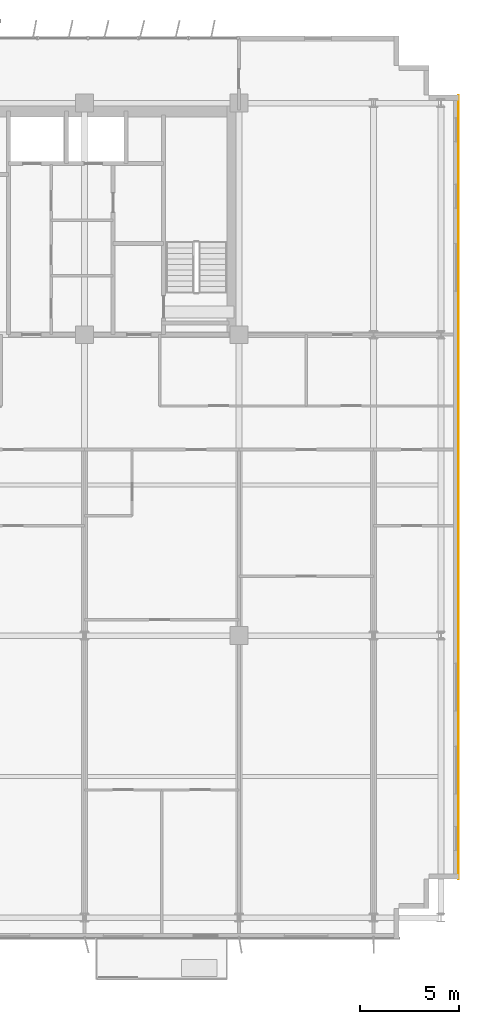
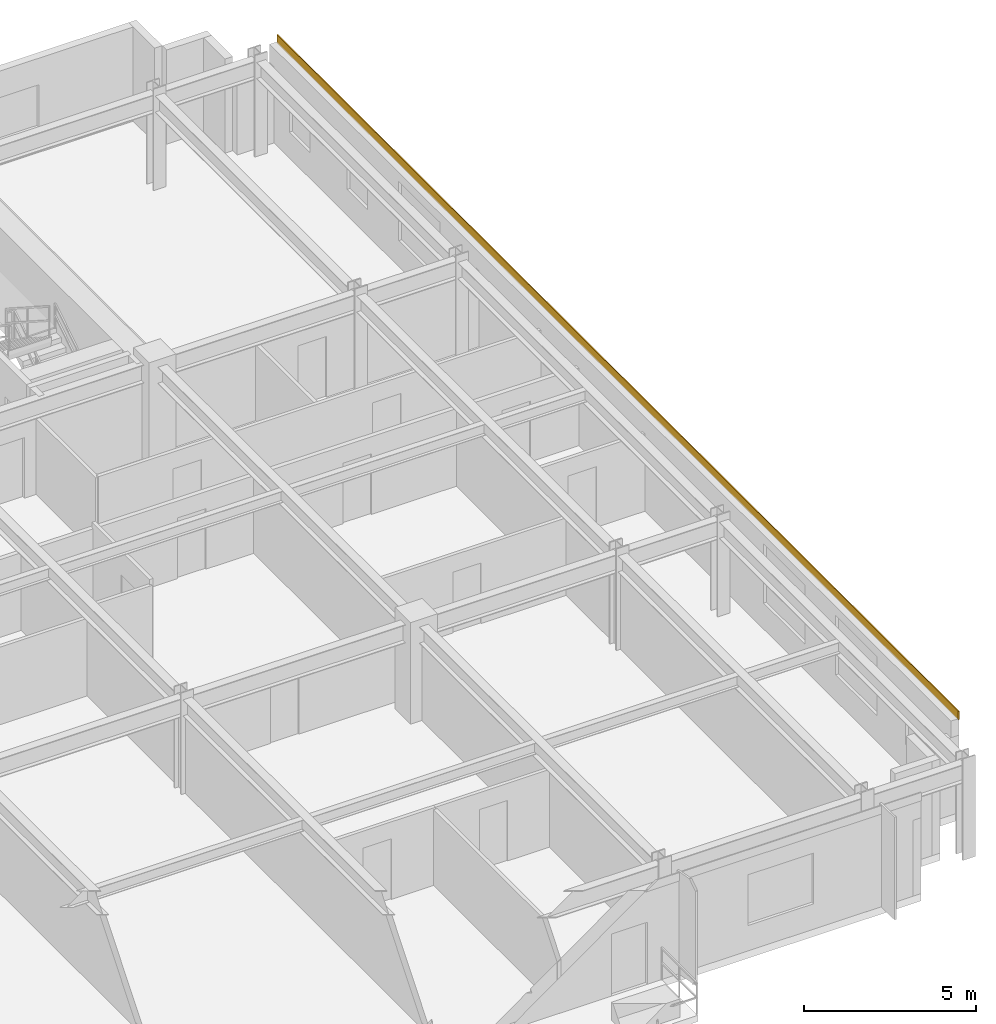
# One storey, part 22 of 22: 1 covering.
"""IFC4 building model written with IfcOpenShell, lengths in metres."""

import ifcopenshell
import ifcopenshell.guid

model = None  # the IFC model being written
_history = None  # IfcOwnerHistory: only IFC2X3 demands one
_inside = {}  # id of a spatial element -> (the spatial element, [elements in it])
_under = {}  # id of a project, library or spatial element -> (it, [spatial elements below it])
_declared = {}  # id of a project -> (the project, [libraries it declares])
_typed = {}  # id of a type object -> (the type object, [elements of that type])
_made_of = {}  # id of a material, layer set ... -> (it, [elements and type objects made of it])


def new_model(schema):
    """Start an empty IFC model of exactly this schema.

    Asked for "IFC4X3", IfcOpenShell would pick the latest addendum, in which some entities
    have other attributes; the version numbers below select the first issue.
    IFC2X3 requires an IfcOwnerHistory on every rooted entity: one is made here for all.
    """
    global model, _history
    if schema == "IFC4X3":
        model = ifcopenshell.file(schema_version=(4, 3, 0, 0))
    else:
        model = ifcopenshell.file(schema=schema)
    _inside.clear()
    _under.clear()
    _declared.clear()
    _typed.clear()
    _made_of.clear()
    _history = None
    if model.schema == "IFC2X3":
        org = make("IfcOrganization", Name="unknown")
        user = make(
            "IfcPersonAndOrganization",
            ThePerson=make("IfcPerson", FamilyName="unknown"),
            TheOrganization=org,
        )
        app = make(
            "IfcApplication",
            ApplicationDeveloper=org,
            Version="unknown",
            ApplicationFullName="unknown",
            ApplicationIdentifier="unknown",
        )
        _history = make(
            "IfcOwnerHistory",
            OwningUser=user,
            OwningApplication=app,
            ChangeAction="ADDED",
            CreationDate=0,
        )
    return model


def make(cls, **values):
    """One entity of the class cls with the attributes given. An attribute that is None is left unset."""
    return model.create_entity(
        cls, **{name: value for name, value in values.items() if value is not None}
    )


def rooted(cls, **values):
    """An entity with a GlobalId (a new one), such as an element, a storey or a relation."""
    return make(cls, GlobalId=ifcopenshell.guid.new(), OwnerHistory=_history, **values)


def si_unit(unit_type, name, prefix=None):
    """IfcSIUnit, for example si_unit("LENGTHUNIT", "METRE", prefix="MILLI")."""
    return make("IfcSIUnit", UnitType=unit_type, Prefix=prefix, Name=name)


def assignment(units):
    """IfcUnitAssignment: the units of a project."""
    return None if units is None else make("IfcUnitAssignment", Units=units)


def point(xyz):
    """IfcCartesianPoint."""
    return None if xyz is None else make("IfcCartesianPoint", Coordinates=xyz)


def direction(xyz):
    """IfcDirection."""
    return None if xyz is None else make("IfcDirection", DirectionRatios=xyz)


def frame(location, z_axis=None, x_axis=None):
    """IfcAxis2Placement3D, a coordinate frame: its origin and axes. An axis left out is left unset."""
    return make(
        "IfcAxis2Placement3D",
        Location=point(location),
        Axis=direction(z_axis),
        RefDirection=direction(x_axis),
    )


def frame_2d(location, x_axis=None):
    """IfcAxis2Placement2D, a coordinate frame in the plane: its origin and x axis."""
    return make(
        "IfcAxis2Placement2D", Location=point(location), RefDirection=direction(x_axis)
    )


def origin():
    """The frame at (0, 0, 0) with its axes left unset."""
    return frame((0.0, 0.0, 0.0))


def origin_2d():
    """The frame at (0, 0) in the plane with its x axis left unset."""
    return frame_2d((0.0, 0.0))


def place(relative_to, where):
    """IfcLocalPlacement: puts the frame where relative to a parent placement (None: the world)."""
    return make(
        "IfcLocalPlacement", PlacementRelTo=relative_to, RelativePlacement=where
    )


def context(
    kind, dimensions, precision=None, world=None, true_north=None, identifier=None
):
    """IfcGeometricRepresentationContext, for example the 3D "Model" context."""
    return make(
        "IfcGeometricRepresentationContext",
        ContextIdentifier=identifier,
        ContextType=kind,
        CoordinateSpaceDimension=dimensions,
        Precision=precision,
        WorldCoordinateSystem=world,
        TrueNorth=true_north,
    )


def subcontext(parent, identifier, kind, view, scale=None):
    """IfcGeometricRepresentationSubContext, for example "Body" below "Model"."""
    return make(
        "IfcGeometricRepresentationSubContext",
        ContextIdentifier=identifier,
        ContextType=kind,
        ParentContext=parent,
        TargetScale=scale,
        TargetView=view,
    )


def project(units=None, contexts=None):
    """IfcProject with its units and contexts."""
    return rooted(
        "IfcProject",
        Name="project",
        RepresentationContexts=contexts,
        UnitsInContext=assignment(units),
    )


def spatial(cls, under=None, at=None, **own):
    """A site, building, storey or space (cls), placed at a placement, below another one or the project."""
    s = rooted(cls, ObjectPlacement=at, **own)
    if under is not None:
        _under.setdefault(under.id(), (under, []))[1].append(s)
    return s


def profile(cls, at=None, kind="AREA", **sizes):
    """A parametric profile (cls). Its sizes go by their IFC names, for example OverallWidth=200.0."""
    return make(cls, ProfileType=kind, Position=at, **sizes)


def rectangle(**sizes):
    """IfcRectangleProfileDef."""
    return profile("IfcRectangleProfileDef", **sizes)


def extrude(swept, where, along, depth):
    """IfcExtrudedAreaSolid: the profile swept, set in the frame where, extruded along a direction by depth."""
    return make(
        "IfcExtrudedAreaSolid",
        SweptArea=swept,
        Position=where,
        ExtrudedDirection=direction(along),
        Depth=depth,
    )


def shape(context_of_items, identifier, shape_type, items):
    """IfcShapeRepresentation: the items that make up one representation, for example the "Body"."""
    return make(
        "IfcShapeRepresentation",
        ContextOfItems=context_of_items,
        RepresentationIdentifier=identifier,
        RepresentationType=shape_type,
        Items=items,
    )


def source(mapping_origin, context_of_items, identifier, shape_type, items):
    """IfcRepresentationMap: a shape defined once, which mapped items show again and again."""
    return make(
        "IfcRepresentationMap",
        MappingOrigin=mapping_origin,
        MappedRepresentation=shape(context_of_items, identifier, shape_type, items),
    )


def transform(
    local_origin,
    x_axis=None,
    y_axis=None,
    z_axis=None,
    scale=None,
    scale2=None,
    scale3=None,
    uniform=True,
):
    """IfcCartesianTransformationOperator3D, or its non-uniform kind. x_axis, y_axis, z_axis: its Axis1, 2, 3."""
    if uniform:
        return make(
            "IfcCartesianTransformationOperator3D",
            Axis1=direction(x_axis),
            Axis2=direction(y_axis),
            LocalOrigin=point(local_origin),
            Scale=scale,
            Axis3=direction(z_axis),
        )
    return make(
        "IfcCartesianTransformationOperator3DnonUniform",
        Axis1=direction(x_axis),
        Axis2=direction(y_axis),
        LocalOrigin=point(local_origin),
        Scale=scale,
        Axis3=direction(z_axis),
        Scale2=scale2,
        Scale3=scale3,
    )


def mapped(mapping_source, mapping_target):
    """IfcMappedItem: shows the shape of a source again, moved by a transform."""
    return make(
        "IfcMappedItem", MappingSource=mapping_source, MappingTarget=mapping_target
    )


def material(Name=None, Category=None):
    """IfcMaterial."""
    return make("IfcMaterial", Name=Name, Category=Category)


def layer(
    of_material, thickness, ventilated=None, Name=None, Category=None, Priority=None
):
    """IfcMaterialLayer: one layer of a wall or slab, of a material (None: an air gap)."""
    return make(
        "IfcMaterialLayer",
        Material=of_material,
        LayerThickness=thickness,
        IsVentilated=ventilated,
        Name=Name,
        Category=Category,
        Priority=Priority,
    )


def layer_set(layers, Name=None):
    """IfcMaterialLayerSet."""
    return make("IfcMaterialLayerSet", MaterialLayers=layers, LayerSetName=Name)


def made_of(thing, what):
    """Note that an element or type object is made of a material, layer set ...; save() writes the relation."""
    if what is not None:
        _made_of.setdefault(what.id(), (what, []))[1].append(thing)
    return thing


def type_object(cls, material=None, **own):
    """A type object (cls), such as IfcWallType, which elements share."""
    return made_of(rooted(cls, **own), material)


def element(
    cls,
    number,
    at=None,
    inside=None,
    cuts=None,
    type_object=None,
    material=None,
    context=None,
    identifier="Body",
    shape_type=None,
    held_by="IfcProductDefinitionShape",
    body=None,
    shapes=None,
    **own,
):
    """One element of the class cls, such as IfcWall. Its Tag is "e" and its number.

    at: its placement. inside: the storey or other place that contains it. cuts: it is an
    opening in that element (IfcRelVoidsElement). A single representation is given by context,
    identifier, shape_type and body (its items); several are given by shapes. held_by: the class
    of the entity that holds the representations. save() writes the other relations.
    """
    e = rooted(cls, Tag="e%d" % number, ObjectPlacement=at, **own)
    if body is not None:
        shapes = [shape(context, identifier, shape_type, body)]
    if shapes is not None:
        e.Representation = make(held_by, Representations=shapes)
    if inside is not None:
        _inside.setdefault(inside.id(), (inside, []))[1].append(e)
    if cuts is not None:
        rooted(
            "IfcRelVoidsElement", RelatingBuildingElement=cuts, RelatedOpeningElement=e
        )
    if type_object is not None:
        _typed.setdefault(type_object.id(), (type_object, []))[1].append(e)
    return made_of(e, material)


def aggregate(whole, parts):
    """IfcRelAggregates: a whole, such as a stair, and the parts it consists of."""
    return rooted("IfcRelAggregates", RelatingObject=whole, RelatedObjects=parts)


def save(model, path):
    """Write the relations noted so far, then the file.

    IfcRelAggregates (storeys below a building ...), IfcRelContainedInSpatialStructure (elements
    in a storey), IfcRelDefinesByType, IfcRelAssociatesMaterial and IfcRelDeclares: one each for
    every whole, place, type object, material and project.
    """
    for whole, parts in _under.values():
        aggregate(whole, parts)
    for where, things in _inside.values():
        rooted(
            "IfcRelContainedInSpatialStructure",
            RelatedElements=things,
            RelatingStructure=where,
        )
    for kind, things in _typed.values():
        rooted("IfcRelDefinesByType", RelatedObjects=things, RelatingType=kind)
    for what, things in _made_of.values():
        rooted("IfcRelAssociatesMaterial", RelatedObjects=things, RelatingMaterial=what)
    for by, libraries in _declared.values():
        rooted("IfcRelDeclares", RelatingContext=by, RelatedDefinitions=libraries)
    model.write(path)


model = new_model("IFC4")

# Units and contexts
model_context = context("Model", 3, precision=1e-05, world=origin(), true_north=direction((0.0, 1.0)))
body_context = subcontext(model_context, "Body", "Model", "MODEL_VIEW")
ifc_project = project(units=[si_unit("LENGTHUNIT", "METRE"), si_unit("AREAUNIT", "SQUARE_METRE"), si_unit("VOLUMEUNIT", "CUBIC_METRE"), si_unit("PLANEANGLEUNIT", "RADIAN"), si_unit("MASSUNIT", "GRAM", prefix="KILO")], contexts=[model_context])

# Site, building, storey
site_placement = place(None, origin())
site = spatial("IfcSite", under=ifc_project, at=site_placement, CompositionType="ELEMENT")
building_placement = place(site_placement, origin())
building = spatial("IfcBuilding", under=site, at=building_placement, Name="Trelvane Seafront Commons", CompositionType="ELEMENT")
storey_placement = place(building_placement, frame((0.0, 0.0, 59.5)))
storey = spatial("IfcBuildingStorey", under=building, at=storey_placement, Name="L15", CompositionType="ELEMENT", Elevation=59.5)

# Covering
ifc_material = material(Name="Anodised pale-silver aluminium", Category="aluminium")
ifc_layer = layer(ifc_material, 0.034912109375, Name="ARCH-COV-CLAD35")
ifc_layer_set = layer_set([ifc_layer], Name="Anodised pale-silver aluminium")
covering_type = type_object("IfcCoveringType", Name="ARCH-COV-CLAD35", PredefinedType="CLADDING", material=ifc_layer_set)
shared_shape = source(origin(), body_context, "Body", "SweptSolid", [
    extrude(rectangle(XDim=39.60009765625, YDim=0.034912109375, at=origin_2d()), origin(), (0.0, 0.0, 1.0), 0.300048828125),
])
covering_placement = place(storey_placement, frame((69.89990234375, 25.699951171875, 3.2998046875), z_axis=(0.0, 0.0, 1.0), x_axis=(0.0, -1.0, 0.0)))
element("IfcCovering", 1, at=covering_placement, inside=storey, type_object=covering_type, Name="CLD-L15-00070", PredefinedType="CLADDING", context=body_context, shape_type="MappedRepresentation", body=[
    mapped(shared_shape, transform((0.0, 0.0, 0.0), x_axis=(1.0, 0.0, 0.0), y_axis=(0.0, 1.0, 0.0), z_axis=(0.0, 0.0, 1.0), scale=1.0)),
])

save(model, "model.ifc")
